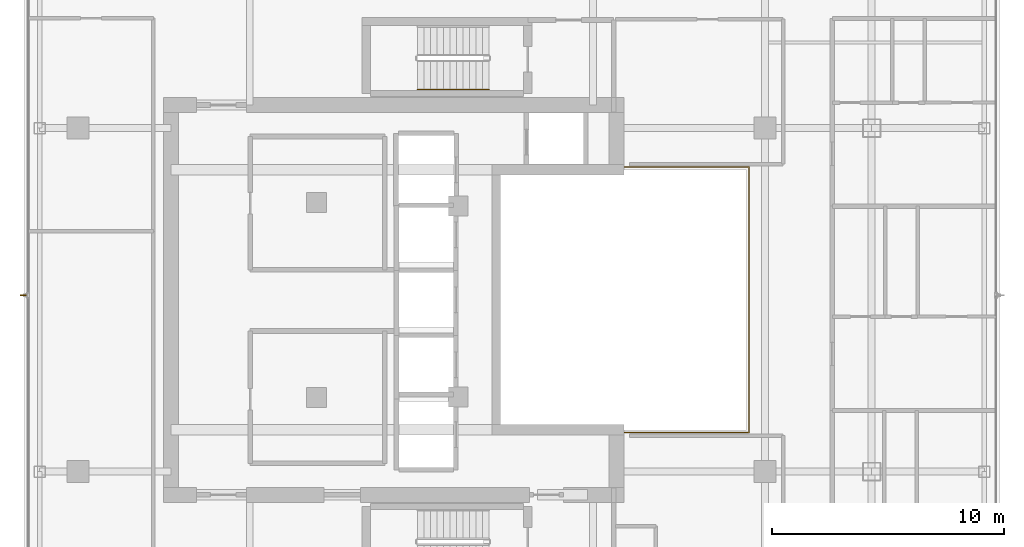
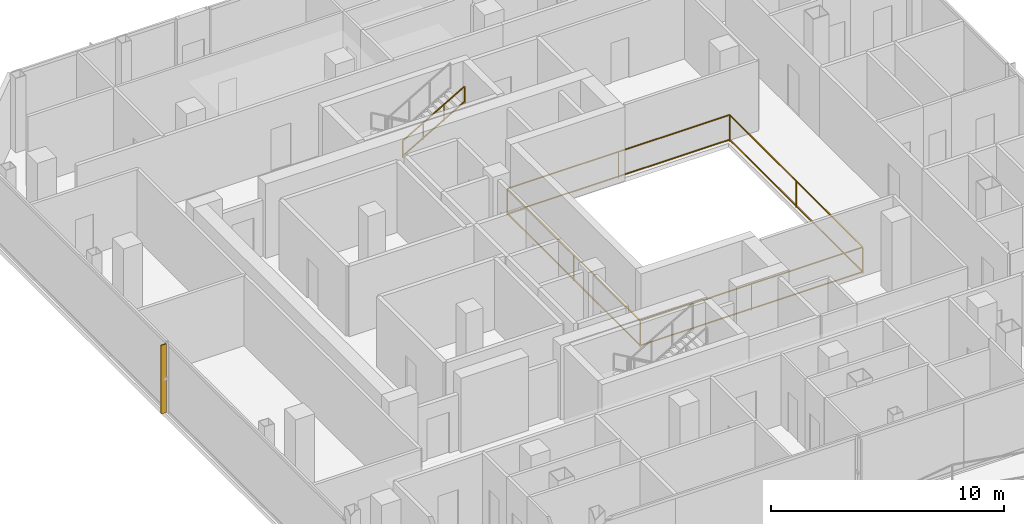
# One storey, part 23 of 26: 2 railings, 1 shading device.
"""IFC4 building model written with IfcOpenShell, lengths in metres."""

import ifcopenshell
import ifcopenshell.guid

model = None  # the IFC model being written
_history = None  # IfcOwnerHistory: only IFC2X3 demands one
_inside = {}  # id of a spatial element -> (the spatial element, [elements in it])
_under = {}  # id of a project, library or spatial element -> (it, [spatial elements below it])
_declared = {}  # id of a project -> (the project, [libraries it declares])
_typed = {}  # id of a type object -> (the type object, [elements of that type])
_made_of = {}  # id of a material, layer set ... -> (it, [elements and type objects made of it])


def new_model(schema):
    """Start an empty IFC model of exactly this schema.

    Asked for "IFC4X3", IfcOpenShell would pick the latest addendum, in which some entities
    have other attributes; the version numbers below select the first issue.
    IFC2X3 requires an IfcOwnerHistory on every rooted entity: one is made here for all.
    """
    global model, _history
    if schema == "IFC4X3":
        model = ifcopenshell.file(schema_version=(4, 3, 0, 0))
    else:
        model = ifcopenshell.file(schema=schema)
    _inside.clear()
    _under.clear()
    _declared.clear()
    _typed.clear()
    _made_of.clear()
    _history = None
    if model.schema == "IFC2X3":
        org = make("IfcOrganization", Name="unknown")
        user = make(
            "IfcPersonAndOrganization",
            ThePerson=make("IfcPerson", FamilyName="unknown"),
            TheOrganization=org,
        )
        app = make(
            "IfcApplication",
            ApplicationDeveloper=org,
            Version="unknown",
            ApplicationFullName="unknown",
            ApplicationIdentifier="unknown",
        )
        _history = make(
            "IfcOwnerHistory",
            OwningUser=user,
            OwningApplication=app,
            ChangeAction="ADDED",
            CreationDate=0,
        )
    return model


def make(cls, **values):
    """One entity of the class cls with the attributes given. An attribute that is None is left unset."""
    return model.create_entity(
        cls, **{name: value for name, value in values.items() if value is not None}
    )


def rooted(cls, **values):
    """An entity with a GlobalId (a new one), such as an element, a storey or a relation."""
    return make(cls, GlobalId=ifcopenshell.guid.new(), OwnerHistory=_history, **values)


def si_unit(unit_type, name, prefix=None):
    """IfcSIUnit, for example si_unit("LENGTHUNIT", "METRE", prefix="MILLI")."""
    return make("IfcSIUnit", UnitType=unit_type, Prefix=prefix, Name=name)


def assignment(units):
    """IfcUnitAssignment: the units of a project."""
    return None if units is None else make("IfcUnitAssignment", Units=units)


def point(xyz):
    """IfcCartesianPoint."""
    return None if xyz is None else make("IfcCartesianPoint", Coordinates=xyz)


def direction(xyz):
    """IfcDirection."""
    return None if xyz is None else make("IfcDirection", DirectionRatios=xyz)


def frame(location, z_axis=None, x_axis=None):
    """IfcAxis2Placement3D, a coordinate frame: its origin and axes. An axis left out is left unset."""
    return make(
        "IfcAxis2Placement3D",
        Location=point(location),
        Axis=direction(z_axis),
        RefDirection=direction(x_axis),
    )


def frame_2d(location, x_axis=None):
    """IfcAxis2Placement2D, a coordinate frame in the plane: its origin and x axis."""
    return make(
        "IfcAxis2Placement2D", Location=point(location), RefDirection=direction(x_axis)
    )


def origin():
    """The frame at (0, 0, 0) with its axes left unset."""
    return frame((0.0, 0.0, 0.0))


def origin_2d():
    """The frame at (0, 0) in the plane with its x axis left unset."""
    return frame_2d((0.0, 0.0))


def place(relative_to, where):
    """IfcLocalPlacement: puts the frame where relative to a parent placement (None: the world)."""
    return make(
        "IfcLocalPlacement", PlacementRelTo=relative_to, RelativePlacement=where
    )


def context(
    kind, dimensions, precision=None, world=None, true_north=None, identifier=None
):
    """IfcGeometricRepresentationContext, for example the 3D "Model" context."""
    return make(
        "IfcGeometricRepresentationContext",
        ContextIdentifier=identifier,
        ContextType=kind,
        CoordinateSpaceDimension=dimensions,
        Precision=precision,
        WorldCoordinateSystem=world,
        TrueNorth=true_north,
    )


def subcontext(parent, identifier, kind, view, scale=None):
    """IfcGeometricRepresentationSubContext, for example "Body" below "Model"."""
    return make(
        "IfcGeometricRepresentationSubContext",
        ContextIdentifier=identifier,
        ContextType=kind,
        ParentContext=parent,
        TargetScale=scale,
        TargetView=view,
    )


def project(units=None, contexts=None):
    """IfcProject with its units and contexts."""
    return rooted(
        "IfcProject",
        Name="project",
        RepresentationContexts=contexts,
        UnitsInContext=assignment(units),
    )


def spatial(cls, under=None, at=None, **own):
    """A site, building, storey or space (cls), placed at a placement, below another one or the project."""
    s = rooted(cls, ObjectPlacement=at, **own)
    if under is not None:
        _under.setdefault(under.id(), (under, []))[1].append(s)
    return s


def profile(cls, at=None, kind="AREA", **sizes):
    """A parametric profile (cls). Its sizes go by their IFC names, for example OverallWidth=200.0."""
    return make(cls, ProfileType=kind, Position=at, **sizes)


def rectangle(**sizes):
    """IfcRectangleProfileDef."""
    return profile("IfcRectangleProfileDef", **sizes)


def extrude(swept, where, along, depth):
    """IfcExtrudedAreaSolid: the profile swept, set in the frame where, extruded along a direction by depth."""
    return make(
        "IfcExtrudedAreaSolid",
        SweptArea=swept,
        Position=where,
        ExtrudedDirection=direction(along),
        Depth=depth,
    )


def shape(context_of_items, identifier, shape_type, items):
    """IfcShapeRepresentation: the items that make up one representation, for example the "Body"."""
    return make(
        "IfcShapeRepresentation",
        ContextOfItems=context_of_items,
        RepresentationIdentifier=identifier,
        RepresentationType=shape_type,
        Items=items,
    )


def material(Name=None, Category=None):
    """IfcMaterial."""
    return make("IfcMaterial", Name=Name, Category=Category)


def layer(
    of_material, thickness, ventilated=None, Name=None, Category=None, Priority=None
):
    """IfcMaterialLayer: one layer of a wall or slab, of a material (None: an air gap)."""
    return make(
        "IfcMaterialLayer",
        Material=of_material,
        LayerThickness=thickness,
        IsVentilated=ventilated,
        Name=Name,
        Category=Category,
        Priority=Priority,
    )


def layer_set(layers, Name=None):
    """IfcMaterialLayerSet."""
    return make("IfcMaterialLayerSet", MaterialLayers=layers, LayerSetName=Name)


def made_of(thing, what):
    """Note that an element or type object is made of a material, layer set ...; save() writes the relation."""
    if what is not None:
        _made_of.setdefault(what.id(), (what, []))[1].append(thing)
    return thing


def type_object(cls, material=None, **own):
    """A type object (cls), such as IfcWallType, which elements share."""
    return made_of(rooted(cls, **own), material)


def element(
    cls,
    number,
    at=None,
    inside=None,
    cuts=None,
    type_object=None,
    material=None,
    context=None,
    identifier="Body",
    shape_type=None,
    held_by="IfcProductDefinitionShape",
    body=None,
    shapes=None,
    **own,
):
    """One element of the class cls, such as IfcWall. Its Tag is "e" and its number.

    at: its placement. inside: the storey or other place that contains it. cuts: it is an
    opening in that element (IfcRelVoidsElement). A single representation is given by context,
    identifier, shape_type and body (its items); several are given by shapes. held_by: the class
    of the entity that holds the representations. save() writes the other relations.
    """
    e = rooted(cls, Tag="e%d" % number, ObjectPlacement=at, **own)
    if body is not None:
        shapes = [shape(context, identifier, shape_type, body)]
    if shapes is not None:
        e.Representation = make(held_by, Representations=shapes)
    if inside is not None:
        _inside.setdefault(inside.id(), (inside, []))[1].append(e)
    if cuts is not None:
        rooted(
            "IfcRelVoidsElement", RelatingBuildingElement=cuts, RelatedOpeningElement=e
        )
    if type_object is not None:
        _typed.setdefault(type_object.id(), (type_object, []))[1].append(e)
    return made_of(e, material)


def aggregate(whole, parts):
    """IfcRelAggregates: a whole, such as a stair, and the parts it consists of."""
    return rooted("IfcRelAggregates", RelatingObject=whole, RelatedObjects=parts)


def save(model, path):
    """Write the relations noted so far, then the file.

    IfcRelAggregates (storeys below a building ...), IfcRelContainedInSpatialStructure (elements
    in a storey), IfcRelDefinesByType, IfcRelAssociatesMaterial and IfcRelDeclares: one each for
    every whole, place, type object, material and project.
    """
    for whole, parts in _under.values():
        aggregate(whole, parts)
    for where, things in _inside.values():
        rooted(
            "IfcRelContainedInSpatialStructure",
            RelatedElements=things,
            RelatingStructure=where,
        )
    for kind, things in _typed.values():
        rooted("IfcRelDefinesByType", RelatedObjects=things, RelatingType=kind)
    for what, things in _made_of.values():
        rooted("IfcRelAssociatesMaterial", RelatedObjects=things, RelatingMaterial=what)
    for by, libraries in _declared.values():
        rooted("IfcRelDeclares", RelatingContext=by, RelatedDefinitions=libraries)
    model.write(path)


model = new_model("IFC4")

# Units and contexts
model_context = context("Model", 3, precision=1e-05, world=origin(), true_north=direction((0.0, 1.0)))
body_context = subcontext(model_context, "Body", "Model", "MODEL_VIEW")
ifc_project = project(units=[si_unit("LENGTHUNIT", "METRE"), si_unit("AREAUNIT", "SQUARE_METRE"), si_unit("VOLUMEUNIT", "CUBIC_METRE"), si_unit("PLANEANGLEUNIT", "RADIAN"), si_unit("MASSUNIT", "GRAM", prefix="KILO")], contexts=[model_context])

# Site, building, storey
site_placement = place(None, origin())
site = spatial("IfcSite", under=ifc_project, at=site_placement, CompositionType="ELEMENT")
building_placement = place(site_placement, origin())
building = spatial("IfcBuilding", under=site, at=building_placement, Name="Khorvyn Point Tower", CompositionType="ELEMENT")
storey_placement = place(building_placement, frame((0.0, 0.0, 262.5)))
storey = spatial("IfcBuildingStorey", under=building, at=storey_placement, Name="L64", CompositionType="ELEMENT", Elevation=262.5)

# Railing
ifc_material_1 = material(Name="Stainless steel 1.4401 and laminated glass", Category="steel")
railing_type_1 = type_object("IfcRailingType", Name="Crystal Atrium Smoke-Rated Perimeter Guardrail 1400", PredefinedType="GUARDRAIL", material=ifc_material_1)
railing_1_placement = place(storey_placement, frame((3.080078125, -5.719970703125, 0.0)))
element("IfcRailing", 1, at=railing_1_placement, inside=storey, type_object=railing_type_1, Name="L64 Crystal Atrium Perimeter Guardrail", PredefinedType="GUARDRAIL", context=body_context, shape_type="SweptSolid", body=[
    extrude(rectangle(XDim=0.048095703125, YDim=0.048095703125, at=origin_2d()), frame((0.0, 0.0, 1.3759765625), z_axis=(1.0, 0.0, 0.0), x_axis=(0.0, 1.0, 0.0)), (0.0, 0.0, 1.0), 11.0400390625),
    extrude(rectangle(XDim=0.048095703125, YDim=0.048095703125, at=origin_2d()), frame((0.0, 0.0, 0.080078125), z_axis=(1.0, 0.0, 0.0), x_axis=(0.0, 1.0, 0.0)), (0.0, 0.0, 1.0), 11.0400390625),
    extrude(rectangle(XDim=0.048095703125, YDim=0.048095703125, at=origin_2d()), frame((11.0400390625, 0.0, 1.3759765625), z_axis=(0.0, 1.0, 0.0), x_axis=(-1.0, 0.0, 0.0)), (0.0, 0.0, 1.0), 11.43994140625),
    extrude(rectangle(XDim=0.048095703125, YDim=0.048095703125, at=origin_2d()), frame((11.0400390625, 0.0, 0.080078125), z_axis=(0.0, 1.0, 0.0), x_axis=(-1.0, 0.0, 0.0)), (0.0, 0.0, 1.0), 11.43994140625),
    extrude(rectangle(XDim=0.048095703125, YDim=0.048095703125, at=origin_2d()), frame((11.0400390625, 11.43994140625, 1.3759765625), z_axis=(-1.0, 0.0, 0.0), x_axis=(0.0, -1.0, 0.0)), (0.0, 0.0, 1.0), 11.0400390625),
    extrude(rectangle(XDim=0.048095703125, YDim=0.048095703125, at=origin_2d()), frame((11.0400390625, 11.43994140625, 0.080078125), z_axis=(-1.0, 0.0, 0.0), x_axis=(0.0, -1.0, 0.0)), (0.0, 0.0, 1.0), 11.0400390625),
    extrude(rectangle(XDim=0.048095703125, YDim=0.048095703125, at=origin_2d()), frame((0.0, 11.43994140625, 1.3759765625), z_axis=(0.0, -1.0, 0.0), x_axis=(1.0, 0.0, 0.0)), (0.0, 0.0, 1.0), 11.409912109375),
    extrude(rectangle(XDim=0.048095703125, YDim=0.048095703125, at=origin_2d()), frame((0.0, 11.43994140625, 0.080078125), z_axis=(0.0, -1.0, 0.0), x_axis=(1.0, 0.0, 0.0)), (0.0, 0.0, 1.0), 11.409912109375),
    extrude(rectangle(XDim=0.0419921875, YDim=0.0419921875, at=origin_2d()), origin(), (0.0, 0.0, 1.0), 1.351806640625),
    extrude(rectangle(XDim=0.0419921875, YDim=0.0419921875, at=origin_2d()), frame((5.52001953125, 0.0, 0.0)), (0.0, 0.0, 1.0), 1.351806640625),
    extrude(rectangle(XDim=0.0419921875, YDim=0.0419921875, at=origin_2d()), frame((11.0400390625, 0.0, 0.0)), (0.0, 0.0, 1.0), 1.351806640625),
    extrude(rectangle(XDim=0.0419921875, YDim=0.0419921875, at=origin_2d()), frame((11.0400390625, 5.719970703125, 0.0)), (0.0, 0.0, 1.0), 1.351806640625),
    extrude(rectangle(XDim=0.0419921875, YDim=0.0419921875, at=origin_2d()), frame((11.0400390625, 11.43994140625, 0.0)), (0.0, 0.0, 1.0), 1.351806640625),
    extrude(rectangle(XDim=0.0419921875, YDim=0.0419921875, at=origin_2d()), frame((5.52001953125, 11.43994140625, 0.0)), (0.0, 0.0, 1.0), 1.351806640625),
    extrude(rectangle(XDim=0.0419921875, YDim=0.0419921875, at=origin_2d()), frame((0.0, 11.43994140625, 0.0)), (0.0, 0.0, 1.0), 1.351806640625),
    extrude(rectangle(XDim=0.0419921875, YDim=0.0419921875, at=origin_2d()), frame((0.0, 5.73486328125, 0.0)), (0.0, 0.0, 1.0), 1.351806640625),
    extrude(rectangle(XDim=0.0419921875, YDim=0.0419921875, at=origin_2d()), frame((0.0, 0.030029296875, 0.0)), (0.0, 0.0, 1.0), 1.351806640625),
])

# Shading device
ifc_material_2 = material(Name="Pale anodised aluminium 6063-T6", Category="aluminium")
ifc_layer = layer(ifc_material_2, 0.054931640625)
ifc_layer_set = layer_set([ifc_layer], Name="Pale Anodised Aluminium FIN 260x55")
shading_device_type = type_object("IfcShadingDeviceType", Name="Pale Anodised Aluminium FIN 260x55", PredefinedType="USERDEFINED", material=ifc_layer_set)
shading_device_placement = place(storey_placement, frame((-17.169921875, 0.199951171875, 0.0400390625), z_axis=(0.0, 0.0, 1.0), x_axis=(-1.0, 0.0, 0.0)))
element("IfcShadingDevice", 2, at=shading_device_placement, inside=storey, type_object=shading_device_type, Name="L64 Anodised FIN 01", ObjectType="FIN", PredefinedType="USERDEFINED", context=body_context, shape_type="SweptSolid", body=[
    extrude(rectangle(XDim=0.260009765625, YDim=0.054931640625, at=origin_2d()), origin(), (0.0, 0.0, 1.0), 3.60009765625),
])

# Railing
ifc_material_3 = material(Name="Stainless steel 1.4301", Category="steel")
railing_type_2 = type_object("IfcRailingType", Name="Stainless Steel 304 Stair Pitch Handrail 900", PredefinedType="HANDRAIL", material=ifc_material_3)
railing_2_placement = place(storey_placement, frame((-0.179931640625, 9.070068359375, 2.112548828125)))
element("IfcRailing", 3, at=railing_2_placement, inside=storey, type_object=railing_type_2, Name="L64 ST-02 stair handrail 2", PredefinedType="HANDRAIL", context=body_context, shape_type="SweptSolid", body=[
    extrude(rectangle(XDim=0.048095703125, YDim=0.048095703125, at=origin_2d()), frame((0.0, 0.0, 0.8759765625), z_axis=(0.864903211148, 0.0, 0.501938676878), x_axis=(0.0, 1.0, 0.0)), (0.0, 0.0, 1.0), 3.560791015625),
    extrude(rectangle(XDim=0.048095703125, YDim=0.048095703125, at=origin_2d()), frame((0.0, 0.0, 0.080078125), z_axis=(0.864903211148, 0.0, 0.501938676878), x_axis=(0.0, 1.0, 0.0)), (0.0, 0.0, 1.0), 3.560791015625),
    extrude(rectangle(XDim=0.0419921875, YDim=0.0419921875, at=origin_2d()), origin(), (0.0, 0.0, 1.0), 0.851806640625),
    extrude(rectangle(XDim=0.0419921875, YDim=0.0419921875, at=origin_2d()), frame((1.026611328125, 0.0, 0.595703125)), (0.0, 0.0, 1.0), 0.851806640625),
    extrude(rectangle(XDim=0.0419921875, YDim=0.0419921875, at=origin_2d()), frame((2.05322265625, 0.0, 1.191650390625)), (0.0, 0.0, 1.0), 0.851806640625),
    extrude(rectangle(XDim=0.0419921875, YDim=0.0419921875, at=origin_2d()), frame((3.079833984375, 0.0, 1.787353515625)), (0.0, 0.0, 1.0), 0.851806640625),
])

save(model, "model.ifc")
